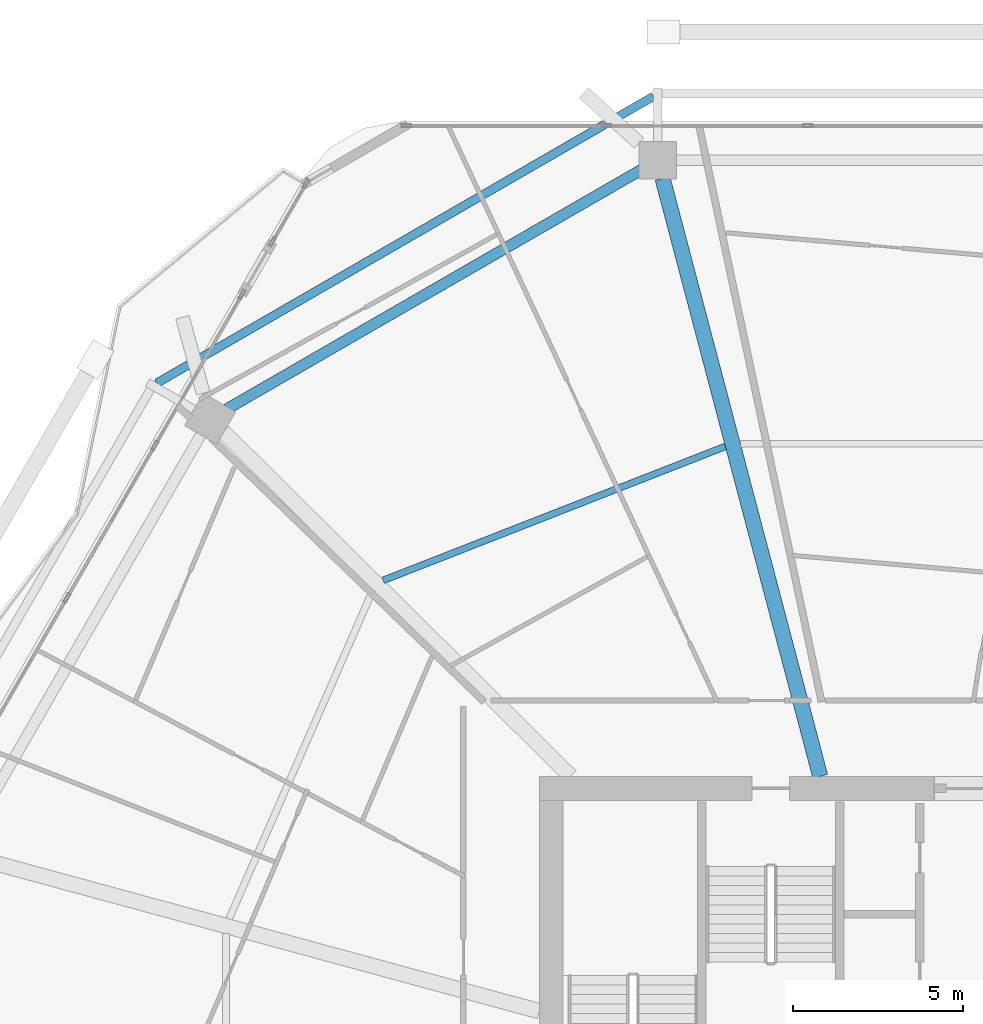
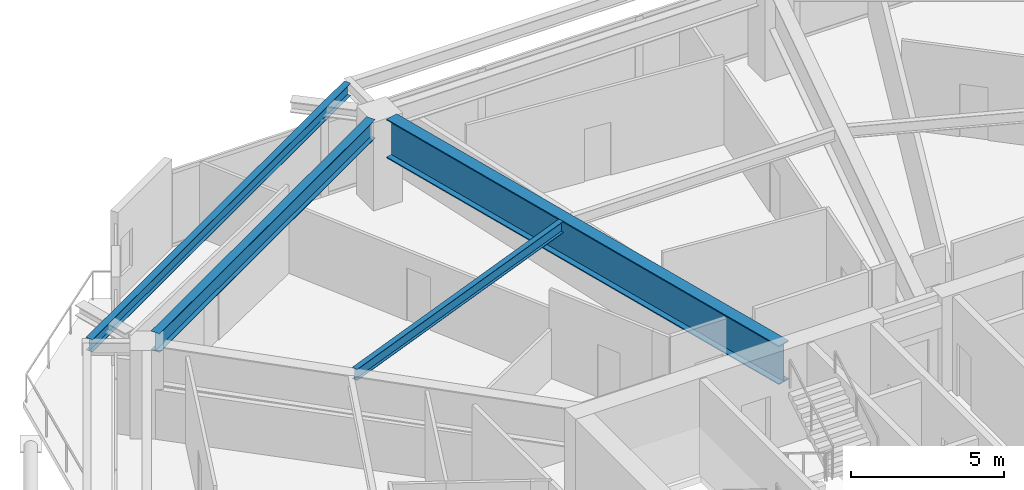
# One storey, part 17 of 33: 4 beams.
"""IFC4 building model written with IfcOpenShell, lengths in metres."""

from ifc_helpers import new_model, si_unit, direction, frame, origin, origin_2d, place, context, subcontext, project, spatial, i_section, extrude, material, material_profile, profile_set, type_object, element, save


model = new_model("IFC4")

# Units and contexts
model_context = context("Model", 3, precision=1e-05, world=origin(), true_north=direction((0.0, 1.0)))
body_context = subcontext(model_context, "Body", "Model", "MODEL_VIEW")
ifc_project = project(units=[si_unit("LENGTHUNIT", "METRE"), si_unit("AREAUNIT", "SQUARE_METRE"), si_unit("VOLUMEUNIT", "CUBIC_METRE"), si_unit("PLANEANGLEUNIT", "RADIAN"), si_unit("MASSUNIT", "GRAM", prefix="KILO")], contexts=[model_context])

# Site, building, storey
site_placement = place(None, origin())
site = spatial("IfcSite", under=ifc_project, at=site_placement, CompositionType="ELEMENT")
building_placement = place(site_placement, origin())
building = spatial("IfcBuilding", under=site, at=building_placement, Name="Zuhravey Tower", CompositionType="ELEMENT")
storey_placement = place(building_placement, frame((0.0, 0.0, 141.800048828125)))
storey = spatial("IfcBuildingStorey", under=building, at=storey_placement, Name="L35", CompositionType="ELEMENT", Elevation=141.800048828125)

# Beams
ifc_material_1 = material(Name="Steel SM460", Category="steel")
ifc_material_profile_1 = material_profile(ifc_material_1, i_section(OverallWidth=0.449951171875, OverallDepth=1.550048828125, WebThickness=0.02587890625, FlangeThickness=0.0419921875, at=origin_2d()), Name="H-1550x450x26x42")
ifc_profile_set_1 = profile_set([ifc_material_profile_1], Name="Steel SM460")
beam_type_1 = type_object("IfcBeamType", Name="Heavy Setback Transfer Girder H1550x450", PredefinedType="BEAM", material=ifc_profile_set_1)
beam_1_placement = place(storey_placement, frame((33.40185546875, 41.85302734375, 2.744873046875), z_axis=(-0.25498755891, 0.966944333869, 0.0), x_axis=(-0.966944333869, -0.25498755891, 0.0)))
element("IfcBeam", 1, at=beam_1_placement, inside=storey, type_object=beam_type_1, Name="L35 TG3 BM-L35-RAD-04", PredefinedType="BEAM", context=body_context, shape_type="SweptSolid", body=[
    extrude(i_section(OverallWidth=0.449951171875, OverallDepth=1.550048828125, WebThickness=0.02587890625, FlangeThickness=0.0419921875, at=origin_2d()), origin(), (0.0, 0.0, 1.0), 18.1611328125),
])
ifc_material_2 = material(Name="Steel SM355", Category="steel")
ifc_material_profile_2 = material_profile(ifc_material_2, i_section(OverallWidth=0.320068359375, OverallDepth=0.75, WebThickness=0.013916015625, FlangeThickness=0.02490234375, at=origin_2d()), Name="H-750x320x14x25")
ifc_profile_set_2 = profile_set([ifc_material_profile_2], Name="Steel SM355")
beam_type_2 = type_object("IfcBeamType", Name="Perimeter Ring Beam H750x320", PredefinedType="BEAM", material=ifc_profile_set_2)
beam_2_placement = place(storey_placement, frame((28.151123046875, 59.672119140625, 3.14501953125), z_axis=(-0.866017786538, -0.500013193225, 0.0), x_axis=(0.500013193225, -0.866017786538, 0.0)))
element("IfcBeam", 2, at=beam_2_placement, inside=storey, type_object=beam_type_2, Name="L35 PB1 BM-L35-PB-04", PredefinedType="BEAM", context=body_context, shape_type="SweptSolid", body=[
    extrude(i_section(OverallWidth=0.320068359375, OverallDepth=0.75, WebThickness=0.013916015625, FlangeThickness=0.02490234375, at=origin_2d()), origin(), (0.0, 0.0, 1.0), 14.0771484375),
])
ifc_material_profile_3 = material_profile(ifc_material_2, i_section(OverallWidth=0.199951171875, OverallDepth=0.449951171875, WebThickness=0.009033203125, FlangeThickness=0.013916015625, at=origin_2d()), Name="H-450x200x9x14")
ifc_profile_set_3 = profile_set([ifc_material_profile_3], Name="Steel SM355")
beam_type_3 = type_object("IfcBeamType", Name="Secondary Floor Joist H450x200", PredefinedType="JOIST", material=ifc_profile_set_3)
beam_3_placement = place(storey_placement, frame((30.61181640625, 51.541015625, 3.294921875), z_axis=(-0.93121773873, -0.364463335708, 0.0), x_axis=(0.364463335708, -0.93121773873, 0.0)))
element("IfcBeam", 3, at=beam_3_placement, inside=storey, type_object=beam_type_3, Name="L35 SJ1 BM-L35-SJ-04-1", PredefinedType="JOIST", context=body_context, shape_type="SweptSolid", body=[
    extrude(i_section(OverallWidth=0.199951171875, OverallDepth=0.449951171875, WebThickness=0.009033203125, FlangeThickness=0.013916015625, at=origin_2d()), origin(), (0.0, 0.0, 1.0), 10.78955078125),
])
ifc_material_profile_4 = material_profile(ifc_material_2, i_section(OverallWidth=0.25, OverallDepth=0.5, WebThickness=0.010009765625, FlangeThickness=0.01611328125, at=origin_2d()), Name="H-500x250x10x16")
ifc_profile_set_4 = profile_set([ifc_material_profile_4], Name="Steel SM355")
beam_type_4 = type_object("IfcBeamType", Name="Tray Cantilever Spandrel H500x250", PredefinedType="SPANDREL", material=ifc_profile_set_4)
beam_4_placement = place(storey_placement, frame((28.5087890625, 61.82861328125, 3.27001953125), z_axis=(-0.866020095686, -0.500009193783, 0.0), x_axis=(0.500009193783, -0.866020095686, 0.0)))
element("IfcBeam", 4, at=beam_4_placement, inside=storey, type_object=beam_type_4, Name="L35 Sky-Tray Edge Spandrel TSB1-04", PredefinedType="SPANDREL", context=body_context, shape_type="SweptSolid", body=[
    extrude(i_section(OverallWidth=0.25, OverallDepth=0.5, WebThickness=0.010009765625, FlangeThickness=0.01611328125, at=origin_2d()), origin(), (0.0, 0.0, 1.0), 16.853271484375),
])

save(model, "model.ifc")
